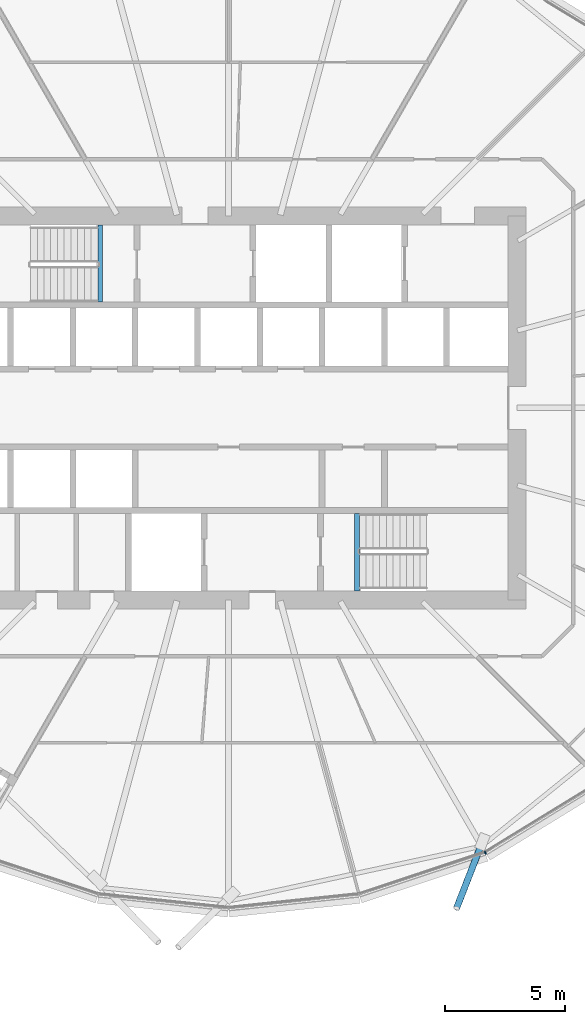
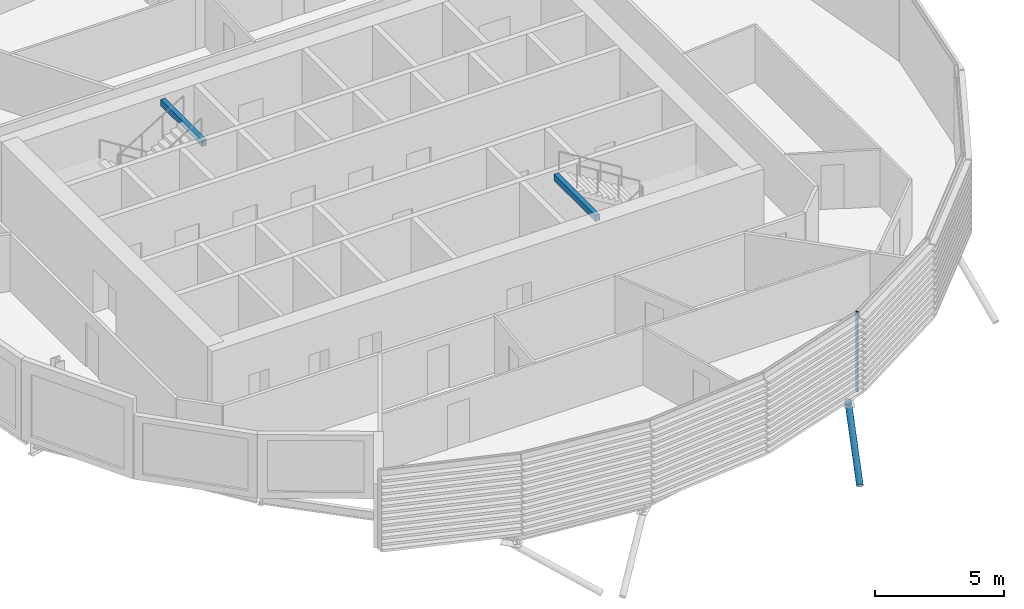
# One storey, part 6 of 39: 2 beams, 2 members, 1 element without a shape of its own.
"""IFC4 building model written with IfcOpenShell, lengths in metres."""

from ifc_helpers import new_model, si_unit, direction, frame, origin, origin_2d, place, context, subcontext, project, spatial, rectangle, hollow_rectangle, hollow_circle, extrude, clip, halfspace, material, material_profile, profile_set, type_object, element, aggregate, save


model = new_model("IFC4")

# Units and contexts
model_context = context("Model", 3, precision=1e-05, world=origin(), true_north=direction((0.0, 1.0)))
body_context = subcontext(model_context, "Body", "Model", "MODEL_VIEW")
ifc_project = project(units=[si_unit("LENGTHUNIT", "METRE"), si_unit("AREAUNIT", "SQUARE_METRE"), si_unit("VOLUMEUNIT", "CUBIC_METRE"), si_unit("PLANEANGLEUNIT", "RADIAN"), si_unit("MASSUNIT", "GRAM", prefix="KILO")], contexts=[model_context])

# Site, building, storey
site_placement = place(None, origin())
site = spatial("IfcSite", under=ifc_project, at=site_placement, CompositionType="ELEMENT")
building_placement = place(site_placement, origin())
building = spatial("IfcBuilding", under=site, at=building_placement, Name="Rimbun Link Towers", CompositionType="ELEMENT")
storey_placement = place(building_placement, frame((0.0, 0.0, 112.0)))
storey = spatial("IfcBuildingStorey", under=building, at=storey_placement, Name="L27", CompositionType="ELEMENT", Elevation=112.0)

# Curtain wall, member
ifc_material_1 = material(Name="Aluminium 6063-T6 and low-iron glass", Category="aluminium")
curtain_wall_type = type_object("IfcCurtainWallType", Name="CW1-Z2 unitised vision wall (zone 2)", PredefinedType="NOTDEFINED", material=ifc_material_1)
curtain_wall_placement = place(storey_placement, origin())
curtain_wall = element("IfcCurtainWall", 1, at=curtain_wall_placement, inside=storey, type_object=curtain_wall_type, Name="CW1 L27 T1", PredefinedType="NOTDEFINED")
ifc_material_2 = material(Name="Aluminium 6063-T6", Category="aluminium")
ifc_material_profile_1 = material_profile(ifc_material_2, rectangle(XDim=0.1201171875, YDim=0.06005859375, at=origin_2d()), Name="MULLION 60X120")
ifc_profile_set_1 = profile_set([ifc_material_profile_1], Name="Aluminium 6063-T6")
member_type_1 = type_object("IfcMemberType", Name="CW1 mullion 60X120", PredefinedType="MULLION", material=ifc_profile_set_1)
member_1_placement = place(storey_placement, frame((-21.056640625, -18.531982421875, 0.0), z_axis=(0.0, 0.0, 1.0), x_axis=(0.421703066338, -0.906733987364, 0.0)))
member_1 = element("IfcMember", 2, at=member_1_placement, type_object=member_type_1, Name="CW1 mullion", PredefinedType="MULLION", context=body_context, shape_type="SweptSolid", body=[
    extrude(rectangle(XDim=0.1201171875, YDim=0.06005859375, at=origin_2d()), origin(), (0.0, 0.0, 1.0), 3.800048828125),
])
aggregate(curtain_wall, [member_1])

# Member
ifc_material_3 = material(Name="Steel S355J2H", Category="steel")
ifc_material_profile_2 = material_profile(ifc_material_3, hollow_circle(Radius=0.136474609375, WallThickness=0.012451171875, at=origin_2d()), Name="CHS 273x12.5")
ifc_profile_set_2 = profile_set([ifc_material_profile_2], Name="Steel S355J2H")
member_type_2 = type_object("IfcMemberType", Name="Floor edge link CHS 273x12.5", PredefinedType="BRACE", material=ifc_profile_set_2)
member_2_placement = place(storey_placement, frame((-21.234619140625, -18.213134765625, -0.87841796875), z_axis=(-0.307854732276, -0.789892355831, -0.530373010262), x_axis=(0.931735704147, -0.363137133351, 0.0)))
element("IfcMember", 3, at=member_2_placement, inside=storey, type_object=member_type_2, Name="Floor edge link T1 L27 20", PredefinedType="BRACE", context=body_context, shape_type="Clipping", body=[
    clip(extrude(hollow_circle(Radius=0.136474609375, WallThickness=0.012451171875, at=origin_2d()), frame((0.0, 0.0, -0.455078125)), (0.0, 0.0, 1.0), 3.7939453125), halfspace(frame((0.0, 0.0, -0.214599609375), z_axis=(0.0, 0.847764395328, -0.530373010262)), False)),
])

# Beams
ifc_material_4 = material(Name="Steel S355J2", Category="steel")
ifc_material_profile_3 = material_profile(ifc_material_4, hollow_rectangle(XDim=0.199951171875, YDim=0.300048828125, WallThickness=0.011962890625, at=origin_2d()), Name="BOX 300x200x12")
ifc_profile_set_3 = profile_set([ifc_material_profile_3], Name="Steel S355J2")
beam_type = type_object("IfcBeamType", Name="Stair trimmer beam BOX 300x200x12", PredefinedType="BEAM", material=ifc_profile_set_3)
for number, where, z_axis, x_axis, name in (
    (4, (-37.10009765625, 7.625, 3.489990234375), (0.0, -1.0, 0.0), (1.0, 0.0, 0.0), "L27 ST1 stair beam 1"),
    (5, (-26.39990234375, -7.625, 3.489990234375), (0.0, 1.0, 0.0), (-1.0, 0.0, 0.0), "L27 ST2 stair beam 1"),
):
    element("IfcBeam", number, at=place(storey_placement, frame(where, z_axis=z_axis, x_axis=x_axis)), inside=storey, type_object=beam_type, Name=name, PredefinedType="BEAM", context=body_context, shape_type="SweptSolid", body=[
        extrude(hollow_rectangle(XDim=0.199951171875, YDim=0.300048828125, WallThickness=0.011962890625, at=origin_2d()), origin(), (0.0, 0.0, 1.0), 3.22509765625),
    ])

save(model, "model.ifc")
